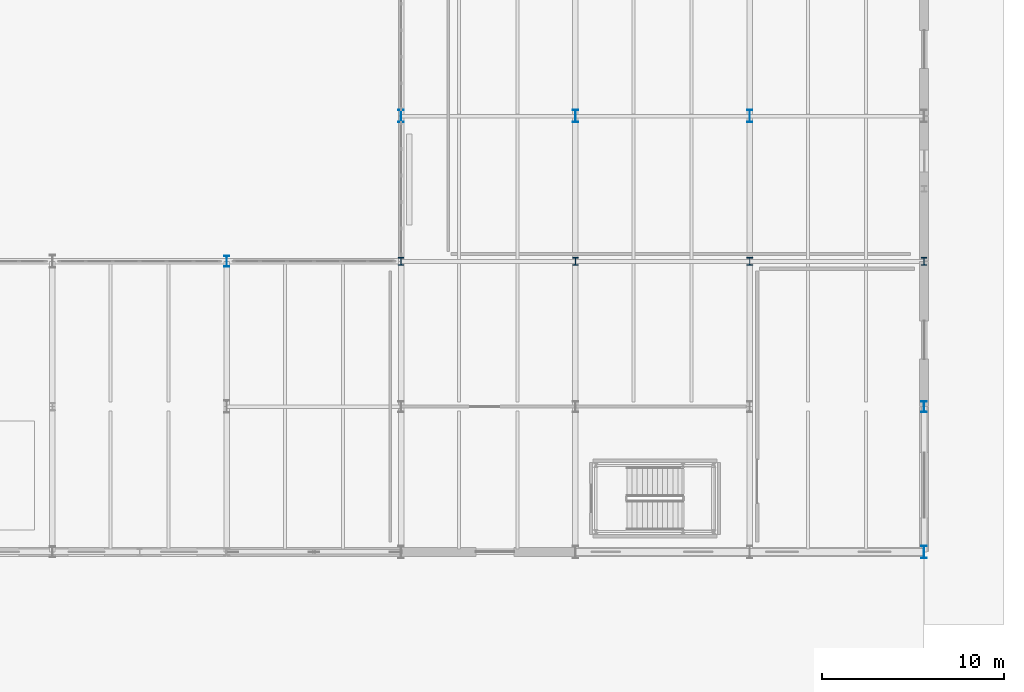
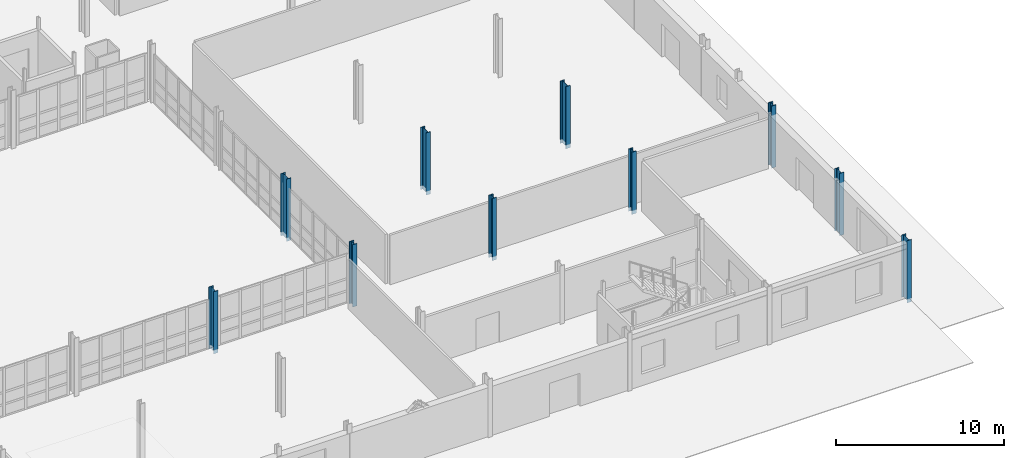
# One storey, part 24 of 78: 10 columns.
"""IFC4 building model written with IfcOpenShell, lengths in metres."""

from ifc_helpers import new_model, si_unit, direction, frame, origin, origin_2d, place, context, subcontext, project, spatial, i_section, extrude, material, material_profile, profile_set, type_object, element, save


model = new_model("IFC4")

# Units and contexts
model_context = context("Model", 3, precision=1e-05, world=origin(), true_north=direction((0.0, 1.0)))
body_context = subcontext(model_context, "Body", "Model", "MODEL_VIEW")
ifc_project = project(units=[si_unit("LENGTHUNIT", "METRE"), si_unit("AREAUNIT", "SQUARE_METRE"), si_unit("VOLUMEUNIT", "CUBIC_METRE"), si_unit("PLANEANGLEUNIT", "RADIAN"), si_unit("MASSUNIT", "GRAM", prefix="KILO")], contexts=[model_context])

# Site, building, storey
site_placement = place(None, origin())
site = spatial("IfcSite", under=ifc_project, at=site_placement, CompositionType="ELEMENT")
building_placement = place(site_placement, origin())
building = spatial("IfcBuilding", under=site, at=building_placement, Name="Alderhovde Museum", CompositionType="ELEMENT")
storey_placement = place(building_placement, origin())
storey = spatial("IfcBuildingStorey", under=building, at=storey_placement, Name="L00", CompositionType="ELEMENT", Elevation=0.0)

# Columns
ifc_material_1 = material(Name="Steel S355J2", Category="steel")
ifc_material_profile_1 = material_profile(ifc_material_1, i_section(OverallWidth=0.300048828125, OverallDepth=0.60009765625, WebThickness=0.015380859375, FlangeThickness=0.030029296875, FilletRadius=0.027099609375, at=origin_2d()), Name="HEB 600")
ifc_profile_set_1 = profile_set([ifc_material_profile_1], Name="Steel S355J2")
column_type_1 = type_object("IfcColumnType", Name="COL-HEB600", PredefinedType="COLUMN", material=ifc_profile_set_1)
for number, where, z_axis, x_axis, name in (
    (1, (134.39990234375, 48.0, -0.280029296875), (0.0, 0.0, 1.0), (1.0, 0.0, 0.0), "L00 Column (134.4, 48.0)"),
    (2, (172.800048828125, 40.0, -0.280029296875), (0.0, 0.0, 1.0), (1.0, 0.0, 0.0), "L00 Column (172.8, 40.0)"),
):
    element("IfcColumn", number, at=place(storey_placement, frame(where, z_axis=z_axis, x_axis=x_axis)), inside=storey, type_object=column_type_1, Name=name, PredefinedType="COLUMN", context=body_context, shape_type="SweptSolid", body=[
        extrude(i_section(OverallWidth=0.300048828125, OverallDepth=0.60009765625, WebThickness=0.015380859375, FlangeThickness=0.030029296875, FilletRadius=0.027099609375, at=origin_2d()), origin(), (0.0, 0.0, 1.0), 4.52001953125),
    ])
ifc_material_2 = material(Name="Steel S355J2", Category="steel")
ifc_material_profile_2 = material_profile(ifc_material_2, i_section(OverallWidth=0.300048828125, OverallDepth=0.699951171875, WebThickness=0.01708984375, FlangeThickness=0.031982421875, FilletRadius=0.027099609375, at=origin_2d()), Name="HEB 700")
ifc_profile_set_2 = profile_set([ifc_material_profile_2], Name="Steel S355J2")
column_type_2 = type_object("IfcColumnType", Name="COL-HEB700", PredefinedType="COLUMN", material=ifc_profile_set_2)
for number, where, z_axis, x_axis, name in (
    (3, (144.0, 56.0, -0.280029296875), (0.0, 0.0, 1.0), (1.0, 0.0, 0.0), "L00 Column (144.0, 56.0)"),
    (4, (153.60009765625, 56.0, -0.280029296875), (0.0, 0.0, 1.0), (1.0, 0.0, 0.0), "L00 Column (153.6, 56.0)"),
    (5, (163.199951171875, 56.0, -0.280029296875), (0.0, 0.0, 1.0), (1.0, 0.0, 0.0), "L00 Column (163.2, 56.0)"),
    (6, (172.800048828125, 32.0, -0.280029296875), (0.0, 0.0, 1.0), (1.0, 0.0, 0.0), "L00 Column (172.8, 32.0)"),
):
    element("IfcColumn", number, at=place(storey_placement, frame(where, z_axis=z_axis, x_axis=x_axis)), inside=storey, type_object=column_type_2, Name=name, PredefinedType="COLUMN", context=body_context, shape_type="SweptSolid", body=[
        extrude(i_section(OverallWidth=0.300048828125, OverallDepth=0.699951171875, WebThickness=0.01708984375, FlangeThickness=0.031982421875, FilletRadius=0.027099609375, at=origin_2d()), origin(), (0.0, 0.0, 1.0), 4.52001953125),
    ])
ifc_material_3 = material(Name="Steel S355J2", Category="steel")
ifc_material_profile_3 = material_profile(ifc_material_3, i_section(OverallWidth=0.306884765625, OverallDepth=0.431884765625, WebThickness=0.02099609375, FlangeThickness=0.0400390625, FilletRadius=0.027099609375, at=origin_2d()), Name="HEM 400")
ifc_profile_set_3 = profile_set([ifc_material_profile_3], Name="Steel S355J2")
column_type_3 = type_object("IfcColumnType", Name="COL-HEM400", PredefinedType="COLUMN", material=ifc_profile_set_3)
for number, where, z_axis, x_axis, name in (
    (7, (144.0, 48.0, -0.280029296875), (0.0, 0.0, 1.0), (1.0, 0.0, 0.0), "L00 Column (144.0, 48.0)"),
    (8, (153.60009765625, 48.0, -0.280029296875), (0.0, 0.0, 1.0), (1.0, 0.0, 0.0), "L00 Column (153.6, 48.0)"),
    (9, (163.199951171875, 48.0, -0.280029296875), (0.0, 0.0, 1.0), (1.0, 0.0, 0.0), "L00 Column (163.2, 48.0)"),
    (10, (172.800048828125, 48.0, -0.280029296875), (0.0, 0.0, 1.0), (1.0, 0.0, 0.0), "L00 Column (172.8, 48.0)"),
):
    element("IfcColumn", number, at=place(storey_placement, frame(where, z_axis=z_axis, x_axis=x_axis)), inside=storey, type_object=column_type_3, Name=name, PredefinedType="COLUMN", context=body_context, shape_type="SweptSolid", body=[
        extrude(i_section(OverallWidth=0.306884765625, OverallDepth=0.431884765625, WebThickness=0.02099609375, FlangeThickness=0.0400390625, FilletRadius=0.027099609375, at=origin_2d()), origin(), (0.0, 0.0, 1.0), 4.52001953125),
    ])

save(model, "model.ifc")
